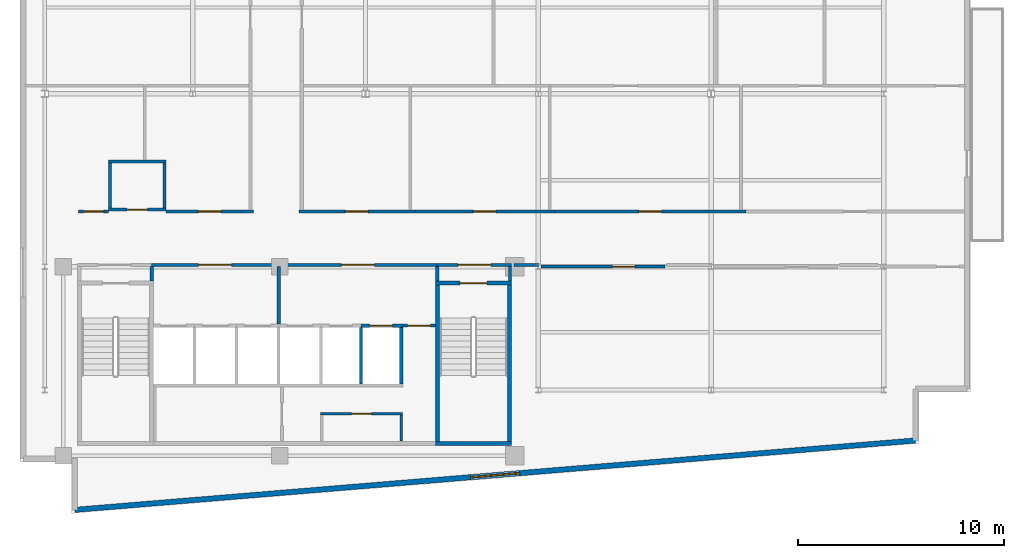
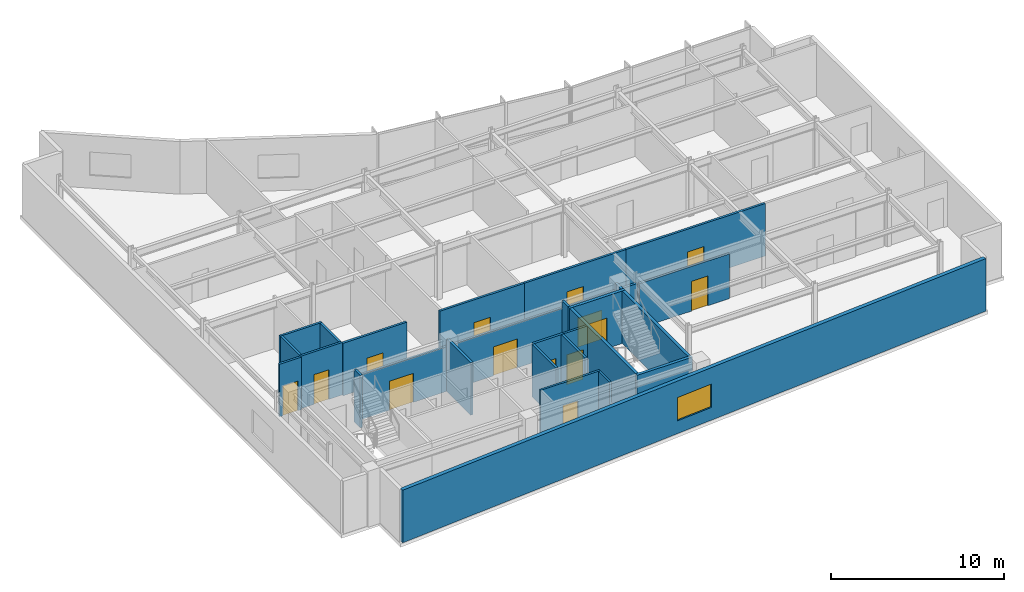
# One storey, part 10 of 15: 29 walls, 14 doors, 1 window, 15 openings.
"""IFC4 building model written with IfcOpenShell, lengths in metres."""

from ifc_helpers import new_model, si_unit, direction, frame, frame_2d, origin, place, context, subcontext, project, spatial, rectangle, extrude, material, layer, layer_set, type_object, element, fill, save


model = new_model("IFC4")

# Units and contexts
model_context = context("Model", 3, precision=1e-05, world=origin(), true_north=direction((0.0, 1.0)))
body_context = subcontext(model_context, "Body", "Model", "MODEL_VIEW")
ifc_project = project(units=[si_unit("LENGTHUNIT", "METRE"), si_unit("AREAUNIT", "SQUARE_METRE"), si_unit("VOLUMEUNIT", "CUBIC_METRE"), si_unit("PLANEANGLEUNIT", "RADIAN"), si_unit("MASSUNIT", "GRAM", prefix="KILO")], contexts=[model_context])

# Site, building, storey
site_placement = place(None, origin())
site = spatial("IfcSite", under=ifc_project, at=site_placement, CompositionType="ELEMENT")
building_placement = place(site_placement, origin())
building = spatial("IfcBuilding", under=site, at=building_placement, Name="Varnakote Quay Hospital", CompositionType="ELEMENT")
storey_placement = place(building_placement, frame((0.0, 0.0, 244.699951171875)))
storey = spatial("IfcBuildingStorey", under=building, at=storey_placement, Name="L60", CompositionType="ELEMENT", Elevation=244.699951171875)

# Wall
ifc_material_1 = material(Name="Fire-rated acoustic gypsum stud wall", Category="gypsum")
ifc_layer_1 = layer(ifc_material_1, 0.159912109375)
ifc_layer_set_1 = layer_set([ifc_layer_1], Name="Fire-rated acoustic gypsum stud wall")
wall_type_1 = type_object("IfcWallType", Name="WL-COMP-160", PredefinedType="PARTITIONING", material=ifc_layer_set_1)
wall_1_placement = place(storey_placement, frame((6.39990234375, 11.300048828125, 0.0), z_axis=(0.0, 0.0, 1.0), x_axis=(0.0, 1.0, 0.0)))
element("IfcWall", 1, at=wall_1_placement, inside=storey, type_object=wall_type_1, Name="L60 Firefighting Lobby West Wall", PredefinedType="PARTITIONING", context=body_context, shape_type="SweptSolid", body=[
    extrude(rectangle(XDim=0.699951171875, YDim=0.159912109375, at=frame_2d((0.35009765625, 0.0))), origin(), (0.0, 0.0, 1.0), 3.7099609375),
])

# Wall, opening, door
wall_2_placement = place(storey_placement, frame((6.39990234375, 12.080078125, 0.0), z_axis=(0.0, 0.0, 1.0), x_axis=(1.0, 0.0, 0.0)))
wall_2 = element("IfcWall", 2, at=wall_2_placement, inside=storey, type_object=wall_type_1, Name="L60 Firefighting Lift Lobby Compartment Wall", PredefinedType="PARTITIONING", context=body_context, shape_type="SweptSolid", body=[
    extrude(rectangle(XDim=6.18017578125, YDim=0.159912109375, at=frame_2d((3.090087890625, 0.0))), origin(), (0.0, 0.0, 1.0), 3.156982421875),
])
opening_1_placement = place(wall_2_placement, frame((2.2900390625, 0.0, 0.0)))
opening_1 = element("IfcOpeningElement", 3, at=opening_1_placement, cuts=wall_2, Name="Opening D-FFL-L60", PredefinedType="OPENING", context=body_context, shape_type="SweptSolid", body=[
    extrude(rectangle(XDim=1.60009765625, YDim=2.050048828125, at=frame_2d((0.800048828125, 1.02490234375))), frame((0.0, 0.08984375, 0.0), z_axis=(0.0, -1.0, 0.0), x_axis=(1.0, 0.0, 0.0)), (0.0, 0.0, 1.0), 0.179931640625),
])
ifc_material_2 = material(Name="Fire-rated double smoke lobby door")
door_type_1 = type_object("IfcDoorType", Name="DR-LOBBY-FD60S-1600x2150", OperationType="NOTDEFINED", PredefinedType="DOOR", material=ifc_material_2)
door_1_placement = place(opening_1_placement, origin())
door_1 = element("IfcDoor", 4, at=door_1_placement, inside=storey, type_object=door_type_1, Name="L60 Firefighting Smoke Vestibule Door", OperationType="DOUBLE_DOOR_SINGLE_SWING", OverallHeight=2.050048828125, OverallWidth=1.60009765625, PredefinedType="DOOR", context=body_context, shape_type="SweptSolid", body=[
    extrude(rectangle(XDim=1.60009765625, YDim=2.050048828125, at=frame_2d((0.800048828125, 1.02490234375))), frame((0.0, 0.02490234375, 0.0), z_axis=(0.0, -1.0, 0.0), x_axis=(1.0, 0.0, 0.0)), (0.0, 0.0, 1.0), 0.050048828125),
])
fill(opening_1, door_1)

# Wall
wall_3_placement = place(storey_placement, frame((12.580078125, 9.2099609375, 0.0), z_axis=(0.0, 0.0, 1.0), x_axis=(0.0, 1.0, 0.0)))
element("IfcWall", 5, at=wall_3_placement, inside=storey, type_object=wall_type_1, Name="L60 Firefighting to Service Lobby Wall", PredefinedType="PARTITIONING", context=body_context, shape_type="SweptSolid", body=[
    extrude(rectangle(XDim=2.7900390625, YDim=0.159912109375, at=frame_2d((1.39501953125, 0.0))), origin(), (0.0, 0.0, 1.0), 3.7099609375),
])

# Wall, opening, door
wall_4_placement = place(storey_placement, frame((12.580078125, 12.080078125, 0.0), z_axis=(0.0, 0.0, 1.0), x_axis=(1.0, 0.0, 0.0)))
wall_4 = element("IfcWall", 6, at=wall_4_placement, inside=storey, type_object=wall_type_1, Name="L60 Clinical Bed Lift Lobby Wall", PredefinedType="PARTITIONING", context=body_context, shape_type="SweptSolid", body=[
    extrude(rectangle(XDim=7.699951171875, YDim=0.159912109375, at=frame_2d((3.85009765625, 0.0))), origin(), (0.0, 0.0, 1.0), 3.156982421875),
])
opening_2_placement = place(wall_4_placement, frame((3.050048828125, 0.0, 0.0)))
opening_2 = element("IfcOpeningElement", 7, at=opening_2_placement, cuts=wall_4, Name="Opening D-SVL-L60", PredefinedType="OPENING", context=body_context, shape_type="SweptSolid", body=[
    extrude(rectangle(XDim=1.60009765625, YDim=2.050048828125, at=frame_2d((0.800048828125, 1.02490234375))), frame((0.0, 0.08984375, 0.0), z_axis=(0.0, -1.0, 0.0), x_axis=(1.0, 0.0, 0.0)), (0.0, 0.0, 1.0), 0.179931640625),
])
door_2_placement = place(opening_2_placement, origin())
door_2 = element("IfcDoor", 8, at=door_2_placement, inside=storey, type_object=door_type_1, Name="L60 Clinical Core Smoke Vestibule Door", OperationType="DOUBLE_DOOR_SINGLE_SWING", OverallHeight=2.050048828125, OverallWidth=1.60009765625, PredefinedType="DOOR", context=body_context, shape_type="SweptSolid", body=[
    extrude(rectangle(XDim=1.60009765625, YDim=2.050048828125, at=frame_2d((0.800048828125, 1.02490234375))), frame((0.0, 0.02490234375, 0.0), z_axis=(0.0, -1.0, 0.0), x_axis=(1.0, 0.0, 0.0)), (0.0, 0.0, 1.0), 0.050048828125),
])
fill(opening_2, door_2)

# Wall
wall_5_placement = place(storey_placement, frame((20.280029296875, 11.300048828125, 0.0), z_axis=(0.0, 0.0, 1.0), x_axis=(0.0, 1.0, 0.0)))
element("IfcWall", 9, at=wall_5_placement, inside=storey, type_object=wall_type_1, Name="L60 East Stair Vestibule Divider Wall", PredefinedType="PARTITIONING", context=body_context, shape_type="SweptSolid", body=[
    extrude(rectangle(XDim=0.699951171875, YDim=0.159912109375, at=frame_2d((0.35009765625, 0.0))), origin(), (0.0, 0.0, 1.0), 3.7099609375),
])

# Wall, opening, door
wall_6_placement = place(storey_placement, frame((20.280029296875, 12.080078125, 0.0), z_axis=(0.0, 0.0, 1.0), x_axis=(1.0, 0.0, 0.0)))
wall_6 = element("IfcWall", 10, at=wall_6_placement, inside=storey, type_object=wall_type_1, Name="L60 East Stair Vestibule Smoke Wall", PredefinedType="PARTITIONING", context=body_context, shape_type="SweptSolid", body=[
    extrude(rectangle(XDim=3.619873046875, YDim=0.159912109375, at=frame_2d((1.81005859375, 0.0))), origin(), (0.0, 0.0, 1.0), 3.156982421875),
])
opening_3_placement = place(wall_6_placement, frame((1.010009765625, 0.0, 0.0)))
opening_3 = element("IfcOpeningElement", 11, at=opening_3_placement, cuts=wall_6, Name="Opening D-ST2L-L60", PredefinedType="OPENING", context=body_context, shape_type="SweptSolid", body=[
    extrude(rectangle(XDim=1.60009765625, YDim=2.050048828125, at=frame_2d((0.800048828125, 1.02490234375))), frame((0.0, 0.08984375, 0.0), z_axis=(0.0, -1.0, 0.0), x_axis=(1.0, 0.0, 0.0)), (0.0, 0.0, 1.0), 0.179931640625),
])
door_3_placement = place(opening_3_placement, origin())
door_3 = element("IfcDoor", 12, at=door_3_placement, inside=storey, type_object=door_type_1, Name="L60 East Stair Vestibule Smoke Door", OperationType="DOUBLE_DOOR_SINGLE_SWING", OverallHeight=2.050048828125, OverallWidth=1.60009765625, PredefinedType="DOOR", context=body_context, shape_type="SweptSolid", body=[
    extrude(rectangle(XDim=1.60009765625, YDim=2.050048828125, at=frame_2d((0.800048828125, 1.02490234375))), frame((0.0, 0.02490234375, 0.0), z_axis=(0.0, -1.0, 0.0), x_axis=(1.0, 0.0, 0.0)), (0.0, 0.0, 1.0), 0.050048828125),
])
fill(opening_3, door_3)

# Walls
wall_7_placement = place(storey_placement, frame((23.820068359375, 11.300048828125, 0.0), z_axis=(0.0, 0.0, 1.0), x_axis=(0.0, 1.0, 0.0)))
element("IfcWall", 13, at=wall_7_placement, inside=storey, type_object=wall_type_1, Name="L60 East Stair Vestibule East Wall", PredefinedType="PARTITIONING", context=body_context, shape_type="SweptSolid", body=[
    extrude(rectangle(XDim=0.699951171875, YDim=0.159912109375, at=frame_2d((0.35009765625, 0.0))), origin(), (0.0, 0.0, 1.0), 3.7099609375),
])
wall_8_placement = place(storey_placement, frame((24.02001953125, 12.080078125, 0.0), z_axis=(0.0, 0.0, 1.0), x_axis=(1.0, 0.0, 0.0)))
element("IfcWall", 14, at=wall_8_placement, inside=storey, type_object=wall_type_1, Name="L60 Corridor South Gap Wall", PredefinedType="PARTITIONING", context=body_context, shape_type="SweptSolid", body=[
    extrude(rectangle(XDim=1.2177734375, YDim=0.159912109375, at=frame_2d((0.60888671875, 0.0))), origin(), (0.0, 0.0, 1.0), 3.156982421875),
])

# Wall, opening, window
ifc_material_3 = material(Name="Precast concrete N50 (f'c 50 MPa)", Category="concrete")
ifc_layer_2 = layer(ifc_material_3, 0.260009765625)
ifc_layer_set_2 = layer_set([ifc_layer_2], Name="Precast concrete N50 (f'c 50 MPa)")
wall_type_2 = type_object("IfcWallType", Name="WL-EXT-BRICK-260", PredefinedType="STANDARD", material=ifc_layer_set_2)
wall_9_placement = place(storey_placement, frame((2.659912109375, 0.173583984375, 0.0), z_axis=(0.0, 0.0, 1.0), x_axis=(0.996611813627, 0.082248969229, 0.0)))
wall_9 = element("IfcWall", 15, at=wall_9_placement, inside=storey, type_object=wall_type_2, Name="L60 Brick-Faced Precast Exterior Wall", PredefinedType="STANDARD", context=body_context, shape_type="SweptSolid", body=[
    extrude(rectangle(XDim=41.01904296875, YDim=0.260009765625, at=frame_2d((20.509521484375, 0.0))), origin(), (0.0, 0.0, 1.0), 3.7099609375),
])
opening_4_placement = place(wall_9_placement, frame((19.3095703125, 0.0, 0.89990234375)))
opening_4 = element("IfcOpeningElement", 16, at=opening_4_placement, cuts=wall_9, Name="Opening WN-0242", PredefinedType="OPENING", context=body_context, shape_type="SweptSolid", body=[
    extrude(rectangle(XDim=2.39990234375, YDim=1.64990234375, at=frame_2d((1.199951171875, 0.824951171875))), frame((0.0, 0.139892578125, 0.0), z_axis=(0.0, -1.0, 0.0), x_axis=(1.0, 0.0, 0.0)), (0.0, 0.0, 1.0), 0.280029296875),
])
ifc_material_4 = material(Name="Double-glazed low-E solar glass", Category="glass")
window_type = type_object("IfcWindowType", Name="WIN-CLIN-2400x1650", PartitioningType="SINGLE_PANEL", PredefinedType="WINDOW", material=ifc_material_4)
window_placement = place(opening_4_placement, origin())
window = element("IfcWindow", 17, at=window_placement, inside=storey, type_object=window_type, Name="L60 Solar-Control Clinical Window", OverallHeight=1.64990234375, OverallWidth=2.39990234375, PartitioningType="SINGLE_PANEL", PredefinedType="WINDOW", context=body_context, shape_type="SweptSolid", body=[
    extrude(rectangle(XDim=2.39990234375, YDim=1.64990234375, at=frame_2d((1.199951171875, 0.824951171875))), frame((0.0, 0.030029296875, 0.0), z_axis=(0.0, -1.0, 0.0), x_axis=(1.0, 0.0, 0.0)), (0.0, 0.0, 1.0), 0.06005859375),
])
fill(opening_4, window)

# Walls
ifc_material_5 = material(Name="Concrete N50 (f'c 50 MPa)", Category="concrete")
ifc_layer_3 = layer(ifc_material_5, 0.14990234375)
ifc_layer_set_3 = layer_set([ifc_layer_3], Name="Concrete N50 (f'c 50 MPa)")
wall_type_3 = type_object("IfcWallType", Name="WL-SHAFT-N50-150", PredefinedType="SHEAR", material=ifc_layer_set_3)
wall_10_placement = place(storey_placement, frame((16.574951171875, 6.300048828125, 0.0), z_axis=(0.0, 0.0, 1.0), x_axis=(0.0, 1.0, 0.0)))
element("IfcWall", 18, at=wall_10_placement, inside=storey, type_object=wall_type_3, Name="L60 LF-PH1 Hoistway Divider Wall", PredefinedType="SHEAR", context=body_context, shape_type="SweptSolid", body=[
    extrude(rectangle(XDim=2.75, YDim=0.14990234375, at=frame_2d((1.375, 0.0))), origin(), (0.0, 0.0, 1.0), 3.7099609375),
])
ifc_material_6 = material(Name="Concrete N50 (f'c 50 MPa)", Category="concrete")
ifc_layer_4 = layer(ifc_material_6, 0.159912109375)
ifc_layer_set_4 = layer_set([ifc_layer_4], Name="Concrete N50 (f'c 50 MPa)")
wall_type_4 = type_object("IfcWallType", Name="WL-SHAFT-N50-160", PredefinedType="SHEAR", material=ifc_layer_set_4)
wall_11_placement = place(storey_placement, frame((18.530029296875, 6.300048828125, 0.0), z_axis=(0.0, 0.0, 1.0), x_axis=(0.0, 1.0, 0.0)))
element("IfcWall", 19, at=wall_11_placement, inside=storey, type_object=wall_type_4, Name="L60 REAR Lift Bank East Shear Wall", PredefinedType="SHEAR", context=body_context, shape_type="SweptSolid", body=[
    extrude(rectangle(XDim=2.75, YDim=0.159912109375, at=frame_2d((1.375, 0.0))), origin(), (0.0, 0.0, 1.0), 3.7099609375),
])

# Wall, opening, door
wall_12_placement = place(storey_placement, frame((16.574951171875, 9.1298828125, 0.0), z_axis=(0.0, 0.0, 1.0), x_axis=(1.0, 0.0, 0.0)))
wall_12 = element("IfcWall", 20, at=wall_12_placement, inside=storey, type_object=wall_type_4, Name="L60 LF-PH2 Hoistway Front Wall", PredefinedType="SHEAR", context=body_context, shape_type="SweptSolid", body=[
    extrude(rectangle(XDim=2.03515625, YDim=0.159912109375, at=frame_2d((1.017578125, 0.0))), origin(), (0.0, 0.0, 1.0), 3.7099609375),
])
opening_5_placement = place(wall_12_placement, frame((0.425048828125, 0.0, 0.0)))
opening_5 = element("IfcOpeningElement", 21, at=opening_5_placement, cuts=wall_12, Name="Opening LD-PH2-L60", PredefinedType="OPENING", context=body_context, shape_type="SweptSolid", body=[
    extrude(rectangle(XDim=1.10009765625, YDim=2.14990234375, at=frame_2d((0.550048828125, 1.074951171875))), frame((0.0, 0.08984375, 0.0), z_axis=(0.0, -1.0, 0.0), x_axis=(1.0, 0.0, 0.0)), (0.0, 0.0, 1.0), 0.179931640625),
])
ifc_material_7 = material(Name="Brushed bronze lift landing sliding door")
door_type_2 = type_object("IfcDoorType", Name="DR-LIFT-LD-1100x2150", OperationType="NOTDEFINED", PredefinedType="DOOR", material=ifc_material_7)
door_4_placement = place(opening_5_placement, origin())
door_4 = element("IfcDoor", 22, at=door_4_placement, inside=storey, type_object=door_type_2, Name="L60 LF-PH2 Lift Landing Sliding Door", OperationType="SLIDING_TO_LEFT", OverallHeight=2.14990234375, OverallWidth=1.10009765625, PredefinedType="DOOR", context=body_context, shape_type="SweptSolid", body=[
    extrude(rectangle(XDim=1.10009765625, YDim=2.14990234375, at=frame_2d((0.550048828125, 1.074951171875))), frame((0.0, 0.02490234375, 0.0), z_axis=(0.0, -1.0, 0.0), x_axis=(1.0, 0.0, 0.0)), (0.0, 0.0, 1.0), 0.050048828125),
])
fill(opening_5, door_4)

# Walls
ifc_material_8 = material(Name="Concrete N50 (f'c 50 MPa)", Category="concrete")
ifc_layer_5 = layer(ifc_material_8, 0.199951171875)
ifc_layer_set_5 = layer_set([ifc_layer_5], Name="Concrete N50 (f'c 50 MPa)")
wall_type_5 = type_object("IfcWallType", Name="WL-SHAFT-N50-200", PredefinedType="SHEAR", material=ifc_layer_set_5)
wall_13_placement = place(storey_placement, frame((20.199951171875, 3.39990234375, 0.0), z_axis=(0.0, 0.0, 1.0), x_axis=(1.0, 0.0, 0.0)))
element("IfcWall", 23, at=wall_13_placement, inside=storey, type_object=wall_type_5, Name="L60 Stair ST2 South Shaft Wall", PredefinedType="SHEAR", context=body_context, shape_type="SweptSolid", body=[
    extrude(rectangle(XDim=3.699951171875, YDim=0.199951171875, at=frame_2d((1.85009765625, 0.0))), origin(), (0.0, 0.0, 1.0), 3.7099609375),
])
for number, where, z_axis, x_axis, name in (
    (24, (20.300048828125, 3.5, 0.0), (0.0, 0.0, 1.0), (0.0, 1.0, 0.0), "L60 Stair ST2 West Shaft Wall"),
    (25, (23.800048828125, 3.5, 0.0), (0.0, 0.0, 1.0), (0.0, 1.0, 0.0), "L60 Stair ST2 East Shaft Wall"),
):
    element("IfcWall", number, at=place(storey_placement, frame(where, z_axis=z_axis, x_axis=x_axis)), inside=storey, type_object=wall_type_5, Name=name, PredefinedType="SHEAR", context=body_context, shape_type="SweptSolid", body=[
        extrude(rectangle(XDim=7.60009765625, YDim=0.199951171875, at=frame_2d((3.800048828125, 0.0))), origin(), (0.0, 0.0, 1.0), 3.7099609375),
    ])

# Wall, opening, door
wall_14_placement = place(storey_placement, frame((20.199951171875, 11.199951171875, 0.0), z_axis=(0.0, 0.0, 1.0), x_axis=(1.0, 0.0, 0.0)))
wall_14 = element("IfcWall", 26, at=wall_14_placement, inside=storey, type_object=wall_type_5, Name="L60 Stair ST2 Exit Wall", PredefinedType="SHEAR", context=body_context, shape_type="SweptSolid", body=[
    extrude(rectangle(XDim=3.699951171875, YDim=0.199951171875, at=frame_2d((1.85009765625, 0.0))), origin(), (0.0, 0.0, 1.0), 3.7099609375),
])
opening_6_placement = place(wall_14_placement, frame((1.199951171875, 0.0, 0.0)))
opening_6 = element("IfcOpeningElement", 27, at=opening_6_placement, cuts=wall_14, Name="Opening D-ST2-L60", PredefinedType="OPENING", context=body_context, shape_type="SweptSolid", body=[
    extrude(rectangle(XDim=1.300048828125, YDim=2.14990234375, at=frame_2d((0.64990234375, 1.074951171875))), frame((0.0, 0.10986328125, 0.0), z_axis=(0.0, -1.0, 0.0), x_axis=(1.0, 0.0, 0.0)), (0.0, 0.0, 1.0), 0.219970703125),
])
ifc_material_9 = material(Name="Fire-rated ceramic-glazed timber exit door", Category="wood")
door_type_3 = type_object("IfcDoorType", Name="DR-STAIR-FD60S-1300x2150", OperationType="NOTDEFINED", PredefinedType="DOOR", material=ifc_material_9)
door_5_placement = place(opening_6_placement, origin())
door_5 = element("IfcDoor", 28, at=door_5_placement, inside=storey, type_object=door_type_3, Name="L60 Stair ST2 Fire Exit Door", OperationType="SINGLE_SWING_LEFT", OverallHeight=2.14990234375, OverallWidth=1.300048828125, PredefinedType="DOOR", context=body_context, shape_type="SweptSolid", body=[
    extrude(rectangle(XDim=1.300048828125, YDim=2.14990234375, at=frame_2d((0.64990234375, 1.074951171875))), frame((0.0, 0.02490234375, 0.0), z_axis=(0.0, -1.0, 0.0), x_axis=(1.0, 0.0, 0.0)), (0.0, 0.0, 1.0), 0.050048828125),
])
fill(opening_6, door_5)

# Wall
ifc_material_10 = material(Name="Smoke-proof clinical partition", Category="gypsum")
ifc_layer_6 = layer(ifc_material_10, 0.1201171875)
ifc_layer_set_6 = layer_set([ifc_layer_6], Name="Smoke-proof clinical partition")
wall_type_6 = type_object("IfcWallType", Name="WL-SMOKE-120", PredefinedType="PARTITIONING", material=ifc_layer_set_6)
wall_15_placement = place(storey_placement, frame((18.5400390625, 3.52001953125, 0.0), z_axis=(0.0, 0.0, 1.0), x_axis=(0.0, 1.0, 0.0)))
element("IfcWall", 29, at=wall_15_placement, inside=storey, type_object=wall_type_6, Name="L60 Core WC East Wall", PredefinedType="PARTITIONING", context=body_context, shape_type="SweptSolid", body=[
    extrude(rectangle(XDim=1.260009765625, YDim=0.1201171875, at=frame_2d((0.6298828125, 0.0))), origin(), (0.0, 0.0, 1.0), 3.7099609375),
])

# Wall, opening, door
ifc_material_11 = material(Name="Fire-rated clinical gypsum partition", Category="gypsum")
ifc_layer_7 = layer(ifc_material_11, 0.139892578125)
ifc_layer_set_7 = layer_set([ifc_layer_7], Name="Fire-rated clinical gypsum partition")
wall_type_7 = type_object("IfcWallType", Name="WL-WARD-140", PredefinedType="PARTITIONING", material=ifc_layer_set_7)
wall_16_placement = place(storey_placement, frame((14.60009765625, 4.85009765625, 0.0), z_axis=(0.0, 0.0, 1.0), x_axis=(1.0, 0.0, 0.0)))
wall_16 = element("IfcWall", 30, at=wall_16_placement, inside=storey, type_object=wall_type_7, Name="L60 Core Staff Sanitary WC North Wall", PredefinedType="PARTITIONING", context=body_context, shape_type="SweptSolid", body=[
    extrude(rectangle(XDim=4.0, YDim=0.139892578125, at=frame_2d((2.0, 0.0))), origin(), (0.0, 0.0, 1.0), 3.7099609375),
])
opening_7_placement = place(wall_16_placement, frame((1.510009765625, 0.0, 0.0)))
opening_7 = element("IfcOpeningElement", 31, at=opening_7_placement, cuts=wall_16, Name="Opening D-L60-CR02", PredefinedType="OPENING", context=body_context, shape_type="SweptSolid", body=[
    extrude(rectangle(XDim=0.97998046875, YDim=2.10009765625, at=frame_2d((0.489990234375, 1.050048828125))), frame((0.0, 0.079833984375, 0.0), z_axis=(0.0, -1.0, 0.0), x_axis=(1.0, 0.0, 0.0)), (0.0, 0.0, 1.0), 0.159912109375),
])
ifc_material_12 = material(Name="Accessible sanitary compartment door")
door_type_4 = type_object("IfcDoorType", Name="DR-WC-980x2100", OperationType="NOTDEFINED", PredefinedType="DOOR", material=ifc_material_12)
door_6_placement = place(opening_7_placement, origin())
door_6 = element("IfcDoor", 32, at=door_6_placement, inside=storey, type_object=door_type_4, Name="L60 Core Staff Sanitary WC Door", OperationType="SINGLE_SWING_LEFT", OverallHeight=2.10009765625, OverallWidth=0.97998046875, PredefinedType="DOOR", context=body_context, shape_type="SweptSolid", body=[
    extrude(rectangle(XDim=0.97998046875, YDim=2.10009765625, at=frame_2d((0.489990234375, 1.050048828125))), frame((0.0, 0.02490234375, 0.0), z_axis=(0.0, -1.0, 0.0), x_axis=(1.0, 0.0, 0.0)), (0.0, 0.0, 1.0), 0.050048828125),
])
fill(opening_7, door_6)

wall_17_placement = place(storey_placement, frame((18.610107421875, 9.1298828125, 0.0), z_axis=(0.0, 0.0, 1.0), x_axis=(1.0, 0.0, 0.0)))
wall_17 = element("IfcWall", 33, at=wall_17_placement, inside=storey, type_object=wall_type_7, Name="L60 Core Service Corridor North Door Wall", PredefinedType="PARTITIONING", context=body_context, shape_type="SweptSolid", body=[
    extrude(rectangle(XDim=1.58984375, YDim=0.139892578125, at=frame_2d((0.794921875, 0.0))), origin(), (0.0, 0.0, 1.0), 3.7099609375),
])
opening_8_placement = place(wall_17_placement, frame((0.239990234375, 0.0, 0.0)))
opening_8 = element("IfcOpeningElement", 34, at=opening_8_placement, cuts=wall_17, Name="Opening D-CSRV-L60", PredefinedType="OPENING", context=body_context, shape_type="SweptSolid", body=[
    extrude(rectangle(XDim=1.10009765625, YDim=2.10009765625, at=frame_2d((0.550048828125, 1.050048828125))), frame((0.0, 0.079833984375, 0.0), z_axis=(0.0, -1.0, 0.0), x_axis=(1.0, 0.0, 0.0)), (0.0, 0.0, 1.0), 0.159912109375),
])
ifc_material_13 = material(Name="Acoustic timber clinical consult door", Category="wood")
door_type_5 = type_object("IfcDoorType", Name="DR-CLIN-FD30S-1100x2100", OperationType="NOTDEFINED", PredefinedType="DOOR", material=ifc_material_13)
door_7_placement = place(opening_8_placement, origin())
door_7 = element("IfcDoor", 35, at=door_7_placement, inside=storey, type_object=door_type_5, Name="L60 Core Service Corridor Door", OperationType="SINGLE_SWING_RIGHT", OverallHeight=2.10009765625, OverallWidth=1.10009765625, PredefinedType="DOOR", context=body_context, shape_type="SweptSolid", body=[
    extrude(rectangle(XDim=1.10009765625, YDim=2.10009765625, at=frame_2d((0.550048828125, 1.050048828125))), frame((0.0, 0.02490234375, 0.0), z_axis=(0.0, -1.0, 0.0), x_axis=(1.0, 0.0, 0.0)), (0.0, 0.0, 1.0), 0.050048828125),
])
fill(opening_8, door_7)

wall_18_placement = place(storey_placement, frame((4.31005859375, 14.77001953125, 0.0), z_axis=(0.0, 0.0, 1.0), x_axis=(1.0, 0.0, 0.0)))
wall_18 = element("IfcWall", 36, at=wall_18_placement, inside=storey, type_object=wall_type_7, Name="L60 Floor Unisex Accessible WC S Wall", PredefinedType="PARTITIONING", context=body_context, shape_type="SweptSolid", body=[
    extrude(rectangle(XDim=2.780029296875, YDim=0.139892578125, at=frame_2d((1.39013671875, 0.0))), origin(), (0.0, 0.0, 1.0), 3.7099609375),
])
opening_9_placement = place(wall_18_placement, frame((0.89990234375, 0.0, 0.0)))
opening_9 = element("IfcOpeningElement", 37, at=opening_9_placement, cuts=wall_18, Name="Opening D-L60-EW01", PredefinedType="OPENING", context=body_context, shape_type="SweptSolid", body=[
    extrude(rectangle(XDim=0.97998046875, YDim=2.10009765625, at=frame_2d((0.489990234375, 1.050048828125))), frame((0.0, 0.079833984375, 0.0), z_axis=(0.0, -1.0, 0.0), x_axis=(1.0, 0.0, 0.0)), (0.0, 0.0, 1.0), 0.159912109375),
])
door_8_placement = place(opening_9_placement, origin())
door_8 = element("IfcDoor", 38, at=door_8_placement, inside=storey, type_object=door_type_4, Name="L60 Floor Unisex Accessible WC Door", OperationType="SINGLE_SWING_LEFT", OverallHeight=2.10009765625, OverallWidth=0.97998046875, PredefinedType="DOOR", context=body_context, shape_type="SweptSolid", body=[
    extrude(rectangle(XDim=0.97998046875, YDim=2.10009765625, at=frame_2d((0.489990234375, 1.050048828125))), frame((0.0, 0.02490234375, 0.0), z_axis=(0.0, -1.0, 0.0), x_axis=(1.0, 0.0, 0.0)), (0.0, 0.0, 1.0), 0.050048828125),
])
fill(opening_9, door_8)

# Walls
wall_19_placement = place(storey_placement, frame((4.31005859375, 17.110107421875, 0.0), z_axis=(0.0, 0.0, 1.0), x_axis=(1.0, 0.0, 0.0)))
element("IfcWall", 39, at=wall_19_placement, inside=storey, type_object=wall_type_7, Name="L60 Floor Unisex Accessible WC N Wall", PredefinedType="PARTITIONING", context=body_context, shape_type="SweptSolid", body=[
    extrude(rectangle(XDim=2.780029296875, YDim=0.139892578125, at=frame_2d((1.39013671875, 0.0))), origin(), (0.0, 0.0, 1.0), 3.7099609375),
])
for number, where, z_axis, x_axis, name in (
    (40, (4.3798828125, 14.840087890625, 0.0), (0.0, 0.0, 1.0), (0.0, 1.0, 0.0), "L60 Floor Unisex Accessible WC W Wall"),
    (41, (7.02001953125, 14.840087890625, 0.0), (0.0, 0.0, 1.0), (0.0, 1.0, 0.0), "L60 Floor Unisex Accessible WC E Wall"),
):
    element("IfcWall", number, at=place(storey_placement, frame(where, z_axis=z_axis, x_axis=x_axis)), inside=storey, type_object=wall_type_7, Name=name, PredefinedType="PARTITIONING", context=body_context, shape_type="SweptSolid", body=[
        extrude(rectangle(XDim=2.199951171875, YDim=0.139892578125, at=frame_2d((1.10009765625, 0.0))), origin(), (0.0, 0.0, 1.0), 3.7099609375),
    ])

# Wall, opening, door
ifc_material_14 = material(Name="Fire-rated clinical gypsum partition", Category="gypsum")
ifc_layer_8 = layer(ifc_material_14, 0.14990234375)
ifc_layer_set_8 = layer_set([ifc_layer_8], Name="Fire-rated clinical gypsum partition")
wall_type_8 = type_object("IfcWallType", Name="WL-WARD-150", PredefinedType="PARTITIONING", material=ifc_layer_set_8)
wall_20_placement = place(storey_placement, frame((31.35009765625, 12.0, 0.0), z_axis=(0.0, 0.0, 1.0), x_axis=(-1.0, 0.0, 0.0)))
wall_20 = element("IfcWall", 42, at=wall_20_placement, inside=storey, type_object=wall_type_8, Name="L60 Clinical Interior Partition", PredefinedType="PARTITIONING", context=body_context, shape_type="SweptSolid", body=[
    extrude(rectangle(XDim=6.023193359375, YDim=0.14990234375, at=frame_2d((3.01171875, 0.0))), origin(), (0.0, 0.0, 1.0), 3.156982421875),
])
opening_10_placement = place(wall_20_placement, frame((1.44384765625, 0.0, 0.0)))
opening_10 = element("IfcOpeningElement", 43, at=opening_10_placement, cuts=wall_20, Name="Opening D-L60-RL1", PredefinedType="OPENING", context=body_context, shape_type="SweptSolid", body=[
    extrude(rectangle(XDim=1.10009765625, YDim=2.10009765625, at=frame_2d((0.550048828125, 1.050048828125))), frame((0.0, 0.0849609375, 0.0), z_axis=(0.0, -1.0, 0.0), x_axis=(1.0, 0.0, 0.0)), (0.0, 0.0, 1.0), 0.169921875),
])
door_9_placement = place(opening_10_placement, origin())
door_9 = element("IfcDoor", 44, at=door_9_placement, inside=storey, type_object=door_type_5, Name="L60 Day Infusion Treatment Suite Door", OperationType="SINGLE_SWING_RIGHT", OverallHeight=2.10009765625, OverallWidth=1.10009765625, PredefinedType="DOOR", context=body_context, shape_type="SweptSolid", body=[
    extrude(rectangle(XDim=1.10009765625, YDim=2.10009765625, at=frame_2d((0.550048828125, 1.050048828125))), frame((0.0, 0.02490234375, 0.0), z_axis=(0.0, -1.0, 0.0), x_axis=(1.0, 0.0, 0.0)), (0.0, 0.0, 1.0), 0.050048828125),
])
fill(opening_10, door_9)

wall_21_placement = place(storey_placement, frame((4.30810546875, 14.679931640625, 0.0), z_axis=(0.0, 0.0, 1.0), x_axis=(-1.0, 0.0, 0.0)))
wall_21 = element("IfcWall", 45, at=wall_21_placement, inside=storey, type_object=wall_type_8, Name="L60 Clinical Interior Partition", PredefinedType="PARTITIONING", context=body_context, shape_type="SweptSolid", body=[
    extrude(rectangle(XDim=1.4580078125, YDim=0.14990234375, at=frame_2d((0.72900390625, 0.0))), origin(), (0.0, 0.0, 1.0), 3.7099609375),
])
opening_11_placement = place(wall_21_placement, frame((0.239013671875, 0.0, 0.0)))
opening_11 = element("IfcOpeningElement", 46, at=opening_11_placement, cuts=wall_21, Name="Opening D-L60-MD01", PredefinedType="OPENING", context=body_context, shape_type="SweptSolid", body=[
    extrude(rectangle(XDim=0.97998046875, YDim=2.10009765625, at=frame_2d((0.489990234375, 1.050048828125))), frame((0.0, 0.0849609375, 0.0), z_axis=(0.0, -1.0, 0.0), x_axis=(1.0, 0.0, 0.0)), (0.0, 0.0, 1.0), 0.169921875),
])
door_10_placement = place(opening_11_placement, origin())
door_10 = element("IfcDoor", 47, at=door_10_placement, inside=storey, type_object=door_type_4, Name="L60 Clinical Simulation Teaching Room Door", OperationType="SINGLE_SWING_LEFT", OverallHeight=2.10009765625, OverallWidth=0.97998046875, PredefinedType="DOOR", context=body_context, shape_type="SweptSolid", body=[
    extrude(rectangle(XDim=0.97998046875, YDim=2.10009765625, at=frame_2d((0.489990234375, 1.050048828125))), frame((0.0, 0.02490234375, 0.0), z_axis=(0.0, -1.0, 0.0), x_axis=(1.0, 0.0, 0.0)), (0.0, 0.0, 1.0), 0.050048828125),
])
fill(opening_11, door_10)

wall_22_placement = place(storey_placement, frame((11.345947265625, 14.679931640625, 0.0), z_axis=(0.0, 0.0, 1.0), x_axis=(-1.0, 0.0, 0.0)))
wall_22 = element("IfcWall", 48, at=wall_22_placement, inside=storey, type_object=wall_type_8, Name="L60 Clinical Interior Partition", PredefinedType="PARTITIONING", context=body_context, shape_type="SweptSolid", body=[
    extrude(rectangle(XDim=4.25390625, YDim=0.14990234375, at=frame_2d((2.126953125, 0.0))), origin(), (0.0, 0.0, 1.0), 3.7099609375),
])
opening_12_placement = place(wall_22_placement, frame((1.576904296875, 0.0, 0.0)))
opening_12 = element("IfcOpeningElement", 49, at=opening_12_placement, cuts=wall_22, Name="Opening D-L60-MD02", PredefinedType="OPENING", context=body_context, shape_type="SweptSolid", body=[
    extrude(rectangle(XDim=1.10009765625, YDim=2.10009765625, at=frame_2d((0.550048828125, 1.050048828125))), frame((0.0, 0.0849609375, 0.0), z_axis=(0.0, -1.0, 0.0), x_axis=(1.0, 0.0, 0.0)), (0.0, 0.0, 1.0), 0.169921875),
])
door_11_placement = place(opening_12_placement, origin())
door_11 = element("IfcDoor", 50, at=door_11_placement, inside=storey, type_object=door_type_5, Name="L60 Rehabilitation Therapy Treatment Suite Door", OperationType="SINGLE_SWING_RIGHT", OverallHeight=2.10009765625, OverallWidth=1.10009765625, PredefinedType="DOOR", context=body_context, shape_type="SweptSolid", body=[
    extrude(rectangle(XDim=1.10009765625, YDim=2.10009765625, at=frame_2d((0.550048828125, 1.050048828125))), frame((0.0, 0.02490234375, 0.0), z_axis=(0.0, -1.0, 0.0), x_axis=(1.0, 0.0, 0.0)), (0.0, 0.0, 1.0), 0.050048828125),
])
fill(opening_12, door_11)

wall_23_placement = place(storey_placement, frame((19.196044921875, 14.679931640625, 0.0), z_axis=(0.0, 0.0, 1.0), x_axis=(-1.0, 0.0, 0.0)))
wall_23 = element("IfcWall", 51, at=wall_23_placement, inside=storey, type_object=wall_type_8, Name="L60 Clinical Interior Partition", PredefinedType="PARTITIONING", context=body_context, shape_type="SweptSolid", body=[
    extrude(rectangle(XDim=5.64208984375, YDim=0.14990234375, at=frame_2d((2.821044921875, 0.0))), origin(), (0.0, 0.0, 1.0), 3.7099609375),
])
opening_13_placement = place(wall_23_placement, frame((2.27099609375, 0.0, 0.0)))
opening_13 = element("IfcOpeningElement", 52, at=opening_13_placement, cuts=wall_23, Name="Opening D-L60-MD03", PredefinedType="OPENING", context=body_context, shape_type="SweptSolid", body=[
    extrude(rectangle(XDim=1.10009765625, YDim=2.10009765625, at=frame_2d((0.550048828125, 1.050048828125))), frame((0.0, 0.0849609375, 0.0), z_axis=(0.0, -1.0, 0.0), x_axis=(1.0, 0.0, 0.0)), (0.0, 0.0, 1.0), 0.169921875),
])
door_12_placement = place(opening_13_placement, origin())
door_12 = element("IfcDoor", 53, at=door_12_placement, inside=storey, type_object=door_type_5, Name="L60 Physiotherapy Consult Office Door", OperationType="SINGLE_SWING_LEFT", OverallHeight=2.10009765625, OverallWidth=1.10009765625, PredefinedType="DOOR", context=body_context, shape_type="SweptSolid", body=[
    extrude(rectangle(XDim=1.10009765625, YDim=2.10009765625, at=frame_2d((0.550048828125, 1.050048828125))), frame((0.0, 0.02490234375, 0.0), z_axis=(0.0, -1.0, 0.0), x_axis=(1.0, 0.0, 0.0)), (0.0, 0.0, 1.0), 0.050048828125),
])
fill(opening_13, door_12)

wall_24_placement = place(storey_placement, frame((25.986083984375, 14.679931640625, 0.0), z_axis=(0.0, 0.0, 1.0), x_axis=(-1.0, 0.0, 0.0)))
wall_24 = element("IfcWall", 54, at=wall_24_placement, inside=storey, type_object=wall_type_8, Name="L60 Clinical Interior Partition", PredefinedType="PARTITIONING", context=body_context, shape_type="SweptSolid", body=[
    extrude(rectangle(XDim=6.7880859375, YDim=0.14990234375, at=frame_2d((3.39404296875, 0.0))), origin(), (0.0, 0.0, 1.0), 3.7099609375),
])
opening_14_placement = place(wall_24_placement, frame((2.843994140625, 0.0, 0.0)))
opening_14 = element("IfcOpeningElement", 55, at=opening_14_placement, cuts=wall_24, Name="Opening D-L60-MD04", PredefinedType="OPENING", context=body_context, shape_type="SweptSolid", body=[
    extrude(rectangle(XDim=1.10009765625, YDim=2.10009765625, at=frame_2d((0.550048828125, 1.050048828125))), frame((0.0, 0.0849609375, 0.0), z_axis=(0.0, -1.0, 0.0), x_axis=(1.0, 0.0, 0.0)), (0.0, 0.0, 1.0), 0.169921875),
])
door_13_placement = place(opening_14_placement, origin())
door_13 = element("IfcDoor", 56, at=door_13_placement, inside=storey, type_object=door_type_5, Name="L60 Case Review Meeting Room Door", OperationType="SINGLE_SWING_RIGHT", OverallHeight=2.10009765625, OverallWidth=1.10009765625, PredefinedType="DOOR", context=body_context, shape_type="SweptSolid", body=[
    extrude(rectangle(XDim=1.10009765625, YDim=2.10009765625, at=frame_2d((0.550048828125, 1.050048828125))), frame((0.0, 0.02490234375, 0.0), z_axis=(0.0, -1.0, 0.0), x_axis=(1.0, 0.0, 0.0)), (0.0, 0.0, 1.0), 0.050048828125),
])
fill(opening_14, door_13)

wall_25_placement = place(storey_placement, frame((35.285888671875, 14.679931640625, 0.0), z_axis=(0.0, 0.0, 1.0), x_axis=(-1.0, 0.0, 0.0)))
wall_25 = element("IfcWall", 57, at=wall_25_placement, inside=storey, type_object=wall_type_8, Name="L60 Clinical Interior Partition", PredefinedType="PARTITIONING", context=body_context, shape_type="SweptSolid", body=[
    extrude(rectangle(XDim=9.2978515625, YDim=0.14990234375, at=frame_2d((4.64892578125, 0.0))), origin(), (0.0, 0.0, 1.0), 3.7099609375),
])
opening_15_placement = place(wall_25_placement, frame((4.09912109375, 0.0, 0.0)))
opening_15 = element("IfcOpeningElement", 58, at=opening_15_placement, cuts=wall_25, Name="Opening D-L60-MD05", PredefinedType="OPENING", context=body_context, shape_type="SweptSolid", body=[
    extrude(rectangle(XDim=1.10009765625, YDim=2.10009765625, at=frame_2d((0.550048828125, 1.050048828125))), frame((0.0, 0.0849609375, 0.0), z_axis=(0.0, -1.0, 0.0), x_axis=(1.0, 0.0, 0.0)), (0.0, 0.0, 1.0), 0.169921875),
])
door_14_placement = place(opening_15_placement, origin())
door_14 = element("IfcDoor", 59, at=door_14_placement, inside=storey, type_object=door_type_5, Name="L60 Clinical Simulation Teaching Room Door", OperationType="SINGLE_SWING_LEFT", OverallHeight=2.10009765625, OverallWidth=1.10009765625, PredefinedType="DOOR", context=body_context, shape_type="SweptSolid", body=[
    extrude(rectangle(XDim=1.10009765625, YDim=2.10009765625, at=frame_2d((0.550048828125, 1.050048828125))), frame((0.0, 0.02490234375, 0.0), z_axis=(0.0, -1.0, 0.0), x_axis=(1.0, 0.0, 0.0)), (0.0, 0.0, 1.0), 0.050048828125),
])
fill(opening_15, door_14)

save(model, "model.ifc")
